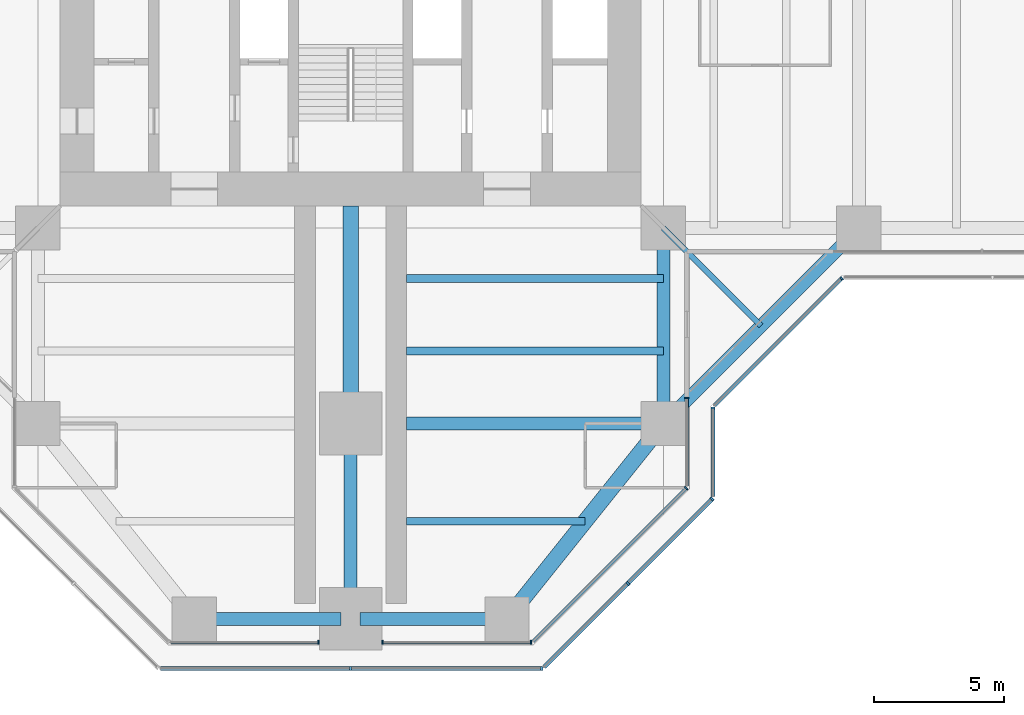
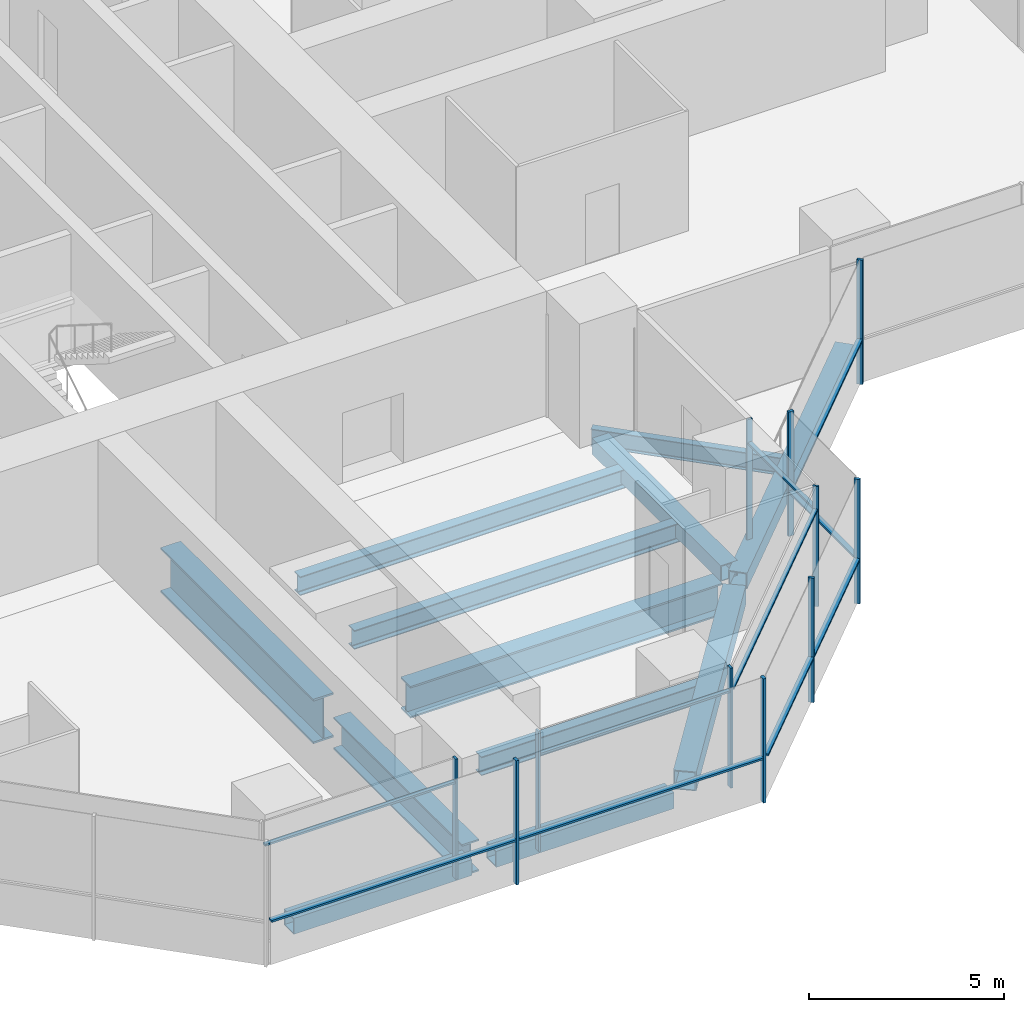
# One storey, part 4 of 19: 21 members, 12 beams, 8 elements without a shape of their own.
"""IFC4 building model written with IfcOpenShell, lengths in metres."""

from ifc_helpers import new_model, si_unit, direction, frame, origin, origin_2d, place, context, subcontext, project, spatial, rectangle, hollow_rectangle, i_section, extrude, material, material_profile, profile_set, type_object, element, aggregate, save


model = new_model("IFC4")

# Units and contexts
model_context = context("Model", 3, precision=1e-05, world=origin(), true_north=direction((0.0, 1.0)))
body_context = subcontext(model_context, "Body", "Model", "MODEL_VIEW")
ifc_project = project(units=[si_unit("LENGTHUNIT", "METRE"), si_unit("AREAUNIT", "SQUARE_METRE"), si_unit("VOLUMEUNIT", "CUBIC_METRE"), si_unit("PLANEANGLEUNIT", "RADIAN"), si_unit("MASSUNIT", "GRAM", prefix="KILO")], contexts=[model_context])

# Site, building, storey
site_placement = place(None, origin())
site = spatial("IfcSite", under=ifc_project, at=site_placement, CompositionType="ELEMENT")
building_placement = place(site_placement, origin())
building = spatial("IfcBuilding", under=site, at=building_placement, Name="Mizan Broadcast Tower", CompositionType="ELEMENT")
storey_placement = place(building_placement, frame((0.0, 0.0, 163.199951171875)))
storey = spatial("IfcBuildingStorey", under=building, at=storey_placement, Name="L37", CompositionType="ELEMENT", Elevation=163.199951171875)

# Beams
ifc_material_1 = material(Name="Steel S355", Category="steel")
ifc_material_profile_1 = material_profile(ifc_material_1, hollow_rectangle(XDim=0.5, YDim=0.5, WallThickness=0.030029296875, at=origin_2d()), Name="BOX 500x500x30")
ifc_profile_set_1 = profile_set([ifc_material_profile_1], Name="Steel S355")
beam_type_1 = type_object("IfcBeamType", Name="EDGE BEAM BOX 500x500x30", PredefinedType="SPANDREL", material=ifc_profile_set_1)
beam_1_placement = place(storey_placement, frame((-5.639892578125, -27.0, -0.3798828125), z_axis=(1.0, 0.0, 0.0), x_axis=(0.0, 1.0, 0.0)))
element("IfcBeam", 1, at=beam_1_placement, inside=storey, type_object=beam_type_1, Name="Edge beam BOX 500x500x30 L37 south arm", PredefinedType="SPANDREL", context=body_context, shape_type="SweptSolid", body=[
    extrude(hollow_rectangle(XDim=0.5, YDim=0.5, WallThickness=0.030029296875, at=origin_2d()), origin(), (0.0, 0.0, 1.0), 5.27978515625),
])
beam_2_placement = place(storey_placement, frame((12.0, -12.449951171875, -0.3798828125), z_axis=(0.0, -1.0, 0.0), x_axis=(1.0, 0.0, 0.0)))
element("IfcBeam", 2, at=beam_2_placement, inside=storey, type_object=beam_type_1, Name="Edge beam BOX 500x500x30 L37 south arm", PredefinedType="SPANDREL", context=body_context, shape_type="SweptSolid", body=[
    extrude(hollow_rectangle(XDim=0.5, YDim=0.5, WallThickness=0.030029296875, at=origin_2d()), origin(), (0.0, 0.0, 1.0), 6.60009765625),
])
beam_3_placement = place(storey_placement, frame((5.639892578125, -27.0, -0.3798828125), z_axis=(-1.0, 0.0, 0.0), x_axis=(0.0, -1.0, 0.0)))
element("IfcBeam", 3, at=beam_3_placement, inside=storey, type_object=beam_type_1, Name="Edge beam BOX 500x500x30 L37 south arm", PredefinedType="SPANDREL", context=body_context, shape_type="SweptSolid", body=[
    extrude(hollow_rectangle(XDim=0.5, YDim=0.5, WallThickness=0.030029296875, at=origin_2d()), origin(), (0.0, 0.0, 1.0), 5.27978515625),
])
beam_4_placement = place(storey_placement, frame((12.0, -19.5, -0.3798828125), z_axis=(0.707106781187, 0.707106781187, 0.0), x_axis=(-0.707106781187, 0.707106781187, 0.0)))
element("IfcBeam", 4, at=beam_4_placement, inside=storey, type_object=beam_type_1, Name="Winter garden edge beam L37 S", PredefinedType="SPANDREL", context=body_context, shape_type="SweptSolid", body=[
    extrude(hollow_rectangle(XDim=0.5, YDim=0.5, WallThickness=0.030029296875, at=origin_2d()), origin(), (0.0, 0.0, 1.0), 10.606689453125),
])
ifc_material_2 = material(Name="Steel S355", Category="steel")
ifc_material_profile_2 = material_profile(ifc_material_2, hollow_rectangle(XDim=0.60009765625, YDim=0.60009765625, WallThickness=0.030029296875, at=origin_2d()), Name="BOX 600x600x30")
ifc_profile_set_2 = profile_set([ifc_material_profile_2], Name="Steel S355")
beam_type_2 = type_object("IfcBeamType", Name="EDGE BEAM BOX 600x600x30", PredefinedType="SPANDREL", material=ifc_profile_set_2)
beam_5_placement = place(storey_placement, frame((11.639892578125, -19.949951171875, -0.429931640625), z_axis=(-0.624673911726, -0.780885717636, 0.0), x_axis=(0.780885717636, -0.624673911726, 0.0)))
element("IfcBeam", 5, at=beam_5_placement, inside=storey, type_object=beam_type_2, Name="Edge beam BOX 600x600x30 L37 south arm", PredefinedType="SPANDREL", context=body_context, shape_type="SweptSolid", body=[
    extrude(hollow_rectangle(XDim=0.60009765625, YDim=0.60009765625, WallThickness=0.030029296875, at=origin_2d()), origin(), (0.0, 0.0, 1.0), 8.4521484375),
])
ifc_material_3 = material(Name="Steel S460", Category="steel")
ifc_material_profile_3 = material_profile(ifc_material_3, i_section(OverallWidth=0.5, OverallDepth=1.0, WebThickness=0.02490234375, FlangeThickness=0.050048828125, at=origin_2d()), Name="WPG 1000x500")
ifc_profile_set_3 = profile_set([ifc_material_profile_3], Name="Steel S460")
beam_type_3 = type_object("IfcBeamType", Name="GIRDER WPG 1000x500", PredefinedType="BEAM", material=ifc_profile_set_3)
beam_6_placement = place(storey_placement, frame((0.0, -19.949951171875, -0.6298828125), z_axis=(0.0, -1.0, 0.0), x_axis=(1.0, 0.0, 0.0)))
element("IfcBeam", 6, at=beam_6_placement, inside=storey, type_object=beam_type_3, Name="Girder WPG 1000x500 L37 south arm", PredefinedType="BEAM", context=body_context, shape_type="SweptSolid", body=[
    extrude(i_section(OverallWidth=0.5, OverallDepth=1.0, WebThickness=0.02490234375, FlangeThickness=0.050048828125, at=origin_2d()), origin(), (0.0, 0.0, 1.0), 6.60009765625),
])
beam_7_placement = place(storey_placement, frame((11.408935546875, -19.5, -0.6298828125), z_axis=(-1.0, 0.0, 0.0), x_axis=(0.0, -1.0, 0.0)))
element("IfcBeam", 7, at=beam_7_placement, inside=storey, type_object=beam_type_3, Name="Girder WPG 1000x500 L37 south arm", PredefinedType="BEAM", context=body_context, shape_type="SweptSolid", body=[
    extrude(i_section(OverallWidth=0.5, OverallDepth=1.0, WebThickness=0.02490234375, FlangeThickness=0.050048828125, at=origin_2d()), origin(), (0.0, 0.0, 1.0), 9.259033203125),
])
ifc_material_4 = material(Name="Steel S460", Category="steel")
ifc_material_profile_4 = material_profile(ifc_material_4, i_section(OverallWidth=0.60009765625, OverallDepth=1.39990234375, WebThickness=0.02490234375, FlangeThickness=0.06005859375, at=origin_2d()), Name="WPG 1400x600")
ifc_profile_set_4 = profile_set([ifc_material_profile_4], Name="Steel S460")
beam_type_4 = type_object("IfcBeamType", Name="GIRDER WPG 1400x600", PredefinedType="BEAM", material=ifc_profile_set_4)
beam_8_placement = place(storey_placement, frame((0.0, -11.14990234375, -0.829833984375), z_axis=(0.0, -1.0, 0.0), x_axis=(1.0, 0.0, 0.0)))
element("IfcBeam", 8, at=beam_8_placement, inside=storey, type_object=beam_type_4, Name="Girder WPG 1400x600 L37 south arm", PredefinedType="BEAM", context=body_context, shape_type="SweptSolid", body=[
    extrude(i_section(OverallWidth=0.60009765625, OverallDepth=1.39990234375, WebThickness=0.02490234375, FlangeThickness=0.06005859375, at=origin_2d()), origin(), (0.0, 0.0, 1.0), 7.84912109375),
])

# Curtain wall, member
ifc_material_5 = material(Name="Aluminium framed glazing", Category="aluminium")
curtain_wall_type_1 = type_object("IfcCurtainWallType", Name="INNER SKIN MID ZONE", PredefinedType="USERDEFINED", material=ifc_material_5)
curtain_wall_1_placement = place(storey_placement, origin())
curtain_wall_1 = element("IfcCurtainWall", 9, at=curtain_wall_1_placement, inside=storey, type_object=curtain_wall_type_1, Name="Inner skin mid zone L37 S end", ObjectType="INNER SKIN MID ZONE", PredefinedType="USERDEFINED")
ifc_material_6 = material(Name="Aluminium, pale anodised", Category="aluminium")
ifc_material_profile_5 = material_profile(ifc_material_6, rectangle(XDim=0.159912109375, YDim=0.06005859375, at=origin_2d()), Name="MULLION 160x60")
ifc_profile_set_5 = profile_set([ifc_material_profile_5], Name="Aluminium, pale anodised")
member_type_1 = type_object("IfcMemberType", Name="INNER SKIN MULLION 60x160", PredefinedType="MULLION", material=ifc_profile_set_5)
member_1_placement = place(storey_placement, frame((-1.22998046875, -27.89990234375, 0.0), z_axis=(0.0, 0.0, 1.0), x_axis=(0.0, 1.0, 0.0)))
member_1 = element("IfcMember", 10, at=member_1_placement, type_object=member_type_1, Name="Inner skin mid zone L37 S end mullion 2", PredefinedType="MULLION", context=body_context, shape_type="SweptSolid", body=[
    extrude(rectangle(XDim=0.159912109375, YDim=0.06005859375, at=origin_2d()), origin(), (0.0, 0.0, 1.0), 3.77001953125),
])

# Curtain wall, members
curtain_wall_2_placement = place(storey_placement, origin())
curtain_wall_2 = element("IfcCurtainWall", 11, at=curtain_wall_2_placement, inside=storey, type_object=curtain_wall_type_1, Name="Inner skin mid zone L37 S end", ObjectType="INNER SKIN MID ZONE", PredefinedType="USERDEFINED")
member_2_placement = place(storey_placement, frame((1.22998046875, -27.89990234375, 0.0), z_axis=(0.0, 0.0, 1.0), x_axis=(0.0, 1.0, 0.0)))
member_2 = element("IfcMember", 12, at=member_2_placement, type_object=member_type_1, Name="Inner skin mid zone L37 S end mullion 1", PredefinedType="MULLION", context=body_context, shape_type="SweptSolid", body=[
    extrude(rectangle(XDim=0.159912109375, YDim=0.06005859375, at=origin_2d()), origin(), (0.0, 0.0, 1.0), 3.77001953125),
])
member_3_placement = place(storey_placement, frame((6.928466796875, -27.89990234375, 0.0), z_axis=(0.0, 0.0, 1.0), x_axis=(0.0, 1.0, 0.0)))
member_3 = element("IfcMember", 13, at=member_3_placement, type_object=member_type_1, Name="Inner skin mid zone L37 S end mullion 2", PredefinedType="MULLION", context=body_context, shape_type="SweptSolid", body=[
    extrude(rectangle(XDim=0.159912109375, YDim=0.06005859375, at=origin_2d()), origin(), (0.0, 0.0, 1.0), 3.77001953125),
])

# Curtain wall, member
curtain_wall_3_placement = place(storey_placement, origin())
curtain_wall_3 = element("IfcCurtainWall", 14, at=curtain_wall_3_placement, inside=storey, type_object=curtain_wall_type_1, Name="Inner skin mid zone L37 S chamfer", ObjectType="INNER SKIN MID ZONE", PredefinedType="USERDEFINED")
member_4_placement = place(storey_placement, frame((12.87890625, -21.979736328125, 0.0), z_axis=(0.0, 0.0, 1.0), x_axis=(-0.707106781187, 0.707106781187, 0.0)))
member_4 = element("IfcMember", 15, at=member_4_placement, type_object=member_type_1, Name="Inner skin mid zone L37 S chamfer mullion 2", PredefinedType="MULLION", context=body_context, shape_type="SweptSolid", body=[
    extrude(rectangle(XDim=0.159912109375, YDim=0.06005859375, at=origin_2d()), origin(), (0.0, 0.0, 1.0), 3.77001953125),
])

curtain_wall_4_placement = place(storey_placement, origin())
curtain_wall_4 = element("IfcCurtainWall", 16, at=curtain_wall_4_placement, inside=storey, type_object=curtain_wall_type_1, Name="Inner skin mid zone L37 S side", ObjectType="INNER SKIN MID ZONE", PredefinedType="USERDEFINED")
member_5_placement = place(storey_placement, frame((12.89990234375, -18.530029296875, 0.0), z_axis=(0.0, 0.0, 1.0), x_axis=(-1.0, 0.0, 0.0)))
member_5 = element("IfcMember", 17, at=member_5_placement, type_object=member_type_1, Name="Inner skin mid zone L37 S side mullion 2", PredefinedType="MULLION", context=body_context, shape_type="SweptSolid", body=[
    extrude(rectangle(XDim=0.159912109375, YDim=0.06005859375, at=origin_2d()), origin(), (0.0, 0.0, 1.0), 3.77001953125),
])

# Member
ifc_material_7 = material(Name="Aluminium, pale anodised", Category="aluminium")
ifc_material_profile_6 = material_profile(ifc_material_7, rectangle(XDim=0.1201171875, YDim=0.06005859375, at=origin_2d()), Name="TRANSOM 120x60")
ifc_profile_set_6 = profile_set([ifc_material_profile_6], Name="Aluminium, pale anodised")
member_type_2 = type_object("IfcMemberType", Name="INNER SKIN TRANSOM 60x120", PredefinedType="USERDEFINED", material=ifc_profile_set_6)
member_6_placement = place(storey_placement, frame((-6.898681640625, -27.89990234375, 3.030029296875), z_axis=(1.0, 0.0, 0.0), x_axis=(0.0, 1.0, 0.0)))
member_6 = element("IfcMember", 18, at=member_6_placement, type_object=member_type_2, Name="Inner skin mid zone L37 S end transom 1.1", ObjectType="TRANSOM", PredefinedType="USERDEFINED", context=body_context, shape_type="SweptSolid", body=[
    extrude(rectangle(XDim=0.1201171875, YDim=0.06005859375, at=origin_2d()), origin(), (0.0, 0.0, 1.0), 5.638671875),
])

aggregate(curtain_wall_1, [member_1, member_6])

member_7_placement = place(storey_placement, frame((1.260009765625, -27.89990234375, 3.030029296875), z_axis=(1.0, 0.0, 0.0), x_axis=(0.0, 1.0, 0.0)))
member_7 = element("IfcMember", 19, at=member_7_placement, type_object=member_type_2, Name="Inner skin mid zone L37 S end transom 1.1", ObjectType="TRANSOM", PredefinedType="USERDEFINED", context=body_context, shape_type="SweptSolid", body=[
    extrude(rectangle(XDim=0.1201171875, YDim=0.06005859375, at=origin_2d()), origin(), (0.0, 0.0, 1.0), 5.638671875),
])

aggregate(curtain_wall_2, [member_2, member_3, member_7])

member_8_placement = place(storey_placement, frame((7.0009765625, -27.857666015625, 3.030029296875), z_axis=(0.707106781187, 0.707106781187, 0.0), x_axis=(-0.707106781187, 0.707106781187, 0.0)))
member_8 = element("IfcMember", 20, at=member_8_placement, type_object=member_type_2, Name="Inner skin mid zone L37 S chamfer transom 1.1", ObjectType="TRANSOM", PredefinedType="USERDEFINED", context=body_context, shape_type="SweptSolid", body=[
    extrude(rectangle(XDim=0.1201171875, YDim=0.06005859375, at=origin_2d()), origin(), (0.0, 0.0, 1.0), 8.28271484375),
])

aggregate(curtain_wall_3, [member_4, member_8])

member_9_placement = place(storey_placement, frame((12.89990234375, -21.898681640625, 3.030029296875), z_axis=(0.0, 1.0, 0.0), x_axis=(-1.0, 0.0, 0.0)))
member_9 = element("IfcMember", 21, at=member_9_placement, type_object=member_type_2, Name="Inner skin mid zone L37 S side transom 1.1", ObjectType="TRANSOM", PredefinedType="USERDEFINED", context=body_context, shape_type="SweptSolid", body=[
    extrude(rectangle(XDim=0.1201171875, YDim=0.06005859375, at=origin_2d()), origin(), (0.0, 0.0, 1.0), 3.338623046875),
])

aggregate(curtain_wall_4, [member_5, member_9])

# Curtain wall, members
ifc_material_8 = material(Name="Aluminium framed glazing", Category="aluminium")
curtain_wall_type_2 = type_object("IfcCurtainWallType", Name="OUTER SKIN", PredefinedType="USERDEFINED", material=ifc_material_8)
curtain_wall_5_placement = place(storey_placement, origin())
curtain_wall_5 = element("IfcCurtainWall", 22, at=curtain_wall_5_placement, inside=storey, type_object=curtain_wall_type_2, Name="Outer skin L37 S end", ObjectType="OUTER SKIN", PredefinedType="USERDEFINED")
ifc_material_9 = material(Name="Aluminium, pale anodised", Category="aluminium")
ifc_material_profile_7 = material_profile(ifc_material_9, rectangle(XDim=0.159912109375, YDim=0.080078125, at=origin_2d()), Name="MULLION 160x80")
ifc_profile_set_7 = profile_set([ifc_material_profile_7], Name="Aluminium, pale anodised")
member_type_3 = type_object("IfcMemberType", Name="OUTER SKIN MULLION 80x160", PredefinedType="MULLION", material=ifc_profile_set_7)
member_10_placement = place(storey_placement, frame((0.0, -28.89990234375, 0.0), z_axis=(0.0, 0.0, 1.0), x_axis=(0.0, 1.0, 0.0)))
member_10 = element("IfcMember", 23, at=member_10_placement, type_object=member_type_3, Name="Outer skin L37 S end mullion 2", PredefinedType="MULLION", context=body_context, shape_type="SweptSolid", body=[
    extrude(rectangle(XDim=0.159912109375, YDim=0.080078125, at=origin_2d()), origin(), (0.0, 0.0, 1.0), 3.900146484375),
])
member_11_placement = place(storey_placement, frame((7.332763671875, -28.89990234375, 0.0), z_axis=(0.0, 0.0, 1.0), x_axis=(0.0, 1.0, 0.0)))
member_11 = element("IfcMember", 24, at=member_11_placement, type_object=member_type_3, Name="Outer skin L37 S end mullion 3", PredefinedType="MULLION", context=body_context, shape_type="SweptSolid", body=[
    extrude(rectangle(XDim=0.159912109375, YDim=0.080078125, at=origin_2d()), origin(), (0.0, 0.0, 1.0), 3.900146484375),
])

curtain_wall_6_placement = place(storey_placement, origin())
curtain_wall_6 = element("IfcCurtainWall", 25, at=curtain_wall_6_placement, inside=storey, type_object=curtain_wall_type_2, Name="Outer skin L37 S chamfer", ObjectType="OUTER SKIN", PredefinedType="USERDEFINED")
member_12_placement = place(storey_placement, frame((10.636474609375, -25.636474609375, 0.0), z_axis=(0.0, 0.0, 1.0), x_axis=(-0.707106781187, 0.707106781187, 0.0)))
member_12 = element("IfcMember", 26, at=member_12_placement, type_object=member_type_3, Name="Outer skin L37 S chamfer mullion 2", PredefinedType="MULLION", context=body_context, shape_type="SweptSolid", body=[
    extrude(rectangle(XDim=0.159912109375, YDim=0.080078125, at=origin_2d()), origin(), (0.0, 0.0, 1.0), 3.900146484375),
])
member_13_placement = place(storey_placement, frame((13.871826171875, -22.401123046875, 0.0), z_axis=(0.0, 0.0, 1.0), x_axis=(-0.707106781187, 0.707106781187, 0.0)))
member_13 = element("IfcMember", 27, at=member_13_placement, type_object=member_type_3, Name="Outer skin L37 S chamfer mullion 3", PredefinedType="MULLION", context=body_context, shape_type="SweptSolid", body=[
    extrude(rectangle(XDim=0.159912109375, YDim=0.080078125, at=origin_2d()), origin(), (0.0, 0.0, 1.0), 3.900146484375),
])

# Curtain wall, member
curtain_wall_7_placement = place(storey_placement, origin())
curtain_wall_7 = element("IfcCurtainWall", 28, at=curtain_wall_7_placement, inside=storey, type_object=curtain_wall_type_2, Name="Outer skin L37 S side", ObjectType="OUTER SKIN", PredefinedType="USERDEFINED")
member_14_placement = place(storey_placement, frame((13.89990234375, -18.912841796875, 0.0), z_axis=(0.0, 0.0, 1.0), x_axis=(-1.0, 0.0, 0.0)))
member_14 = element("IfcMember", 29, at=member_14_placement, type_object=member_type_3, Name="Outer skin L37 S side mullion 2", PredefinedType="MULLION", context=body_context, shape_type="SweptSolid", body=[
    extrude(rectangle(XDim=0.159912109375, YDim=0.080078125, at=origin_2d()), origin(), (0.0, 0.0, 1.0), 3.900146484375),
])

curtain_wall_8_placement = place(storey_placement, origin())
curtain_wall_8 = element("IfcCurtainWall", 30, at=curtain_wall_8_placement, inside=storey, type_object=curtain_wall_type_2, Name="Outer skin L37 E chamfer", ObjectType="OUTER SKIN", PredefinedType="USERDEFINED")
member_15_placement = place(storey_placement, frame((18.844482421875, -13.92822265625, 0.0), z_axis=(0.0, 0.0, 1.0), x_axis=(-0.707106781187, 0.707106781187, 0.0)))
member_15 = element("IfcMember", 31, at=member_15_placement, type_object=member_type_3, Name="Outer skin L37 E chamfer mullion 2", PredefinedType="MULLION", context=body_context, shape_type="SweptSolid", body=[
    extrude(rectangle(XDim=0.159912109375, YDim=0.080078125, at=origin_2d()), origin(), (0.0, 0.0, 1.0), 3.900146484375),
])

# Member
ifc_material_10 = material(Name="Aluminium, pale anodised", Category="aluminium")
ifc_material_profile_8 = material_profile(ifc_material_10, rectangle(XDim=0.159912109375, YDim=0.06005859375, at=origin_2d()), Name="TRANSOM 160x60")
ifc_profile_set_8 = profile_set([ifc_material_profile_8], Name="Aluminium, pale anodised")
member_type_4 = type_object("IfcMemberType", Name="OUTER SKIN TRANSOM 60x160", PredefinedType="USERDEFINED", material=ifc_profile_set_8)
member_16_placement = place(storey_placement, frame((-7.292724609375, -28.89990234375, 1.400146484375), z_axis=(1.0, 0.0, 0.0), x_axis=(0.0, 1.0, 0.0)))
member_16 = element("IfcMember", 32, at=member_16_placement, type_object=member_type_4, Name="Outer skin L37 S end transom 1.1", ObjectType="TRANSOM", PredefinedType="USERDEFINED", context=body_context, shape_type="SweptSolid", body=[
    extrude(rectangle(XDim=0.159912109375, YDim=0.06005859375, at=origin_2d()), origin(), (0.0, 0.0, 1.0), 7.252685546875),
])

member_17_placement = place(storey_placement, frame((0.0400390625, -28.89990234375, 1.400146484375), z_axis=(1.0, 0.0, 0.0), x_axis=(0.0, 1.0, 0.0)))
member_17 = element("IfcMember", 33, at=member_17_placement, type_object=member_type_4, Name="Outer skin L37 S end transom 2.1", ObjectType="TRANSOM", PredefinedType="USERDEFINED", context=body_context, shape_type="SweptSolid", body=[
    extrude(rectangle(XDim=0.159912109375, YDim=0.06005859375, at=origin_2d()), origin(), (0.0, 0.0, 1.0), 7.252685546875),
])

aggregate(curtain_wall_5, [member_10, member_11, member_16, member_17])

member_18_placement = place(storey_placement, frame((7.429443359375, -28.843505859375, 1.400146484375), z_axis=(0.707106781187, 0.707106781187, 0.0), x_axis=(-0.707106781187, 0.707106781187, 0.0)))
member_18 = element("IfcMember", 34, at=member_18_placement, type_object=member_type_4, Name="Outer skin L37 S chamfer transom 1.1", ObjectType="TRANSOM", PredefinedType="USERDEFINED", context=body_context, shape_type="SweptSolid", body=[
    extrude(rectangle(XDim=0.159912109375, YDim=0.06005859375, at=origin_2d()), origin(), (0.0, 0.0, 1.0), 4.495361328125),
])

member_19_placement = place(storey_placement, frame((10.664794921875, -25.608154296875, 1.400146484375), z_axis=(0.707106781187, 0.707106781187, 0.0), x_axis=(-0.707106781187, 0.707106781187, 0.0)))
member_19 = element("IfcMember", 35, at=member_19_placement, type_object=member_type_4, Name="Outer skin L37 S chamfer transom 2.1", ObjectType="TRANSOM", PredefinedType="USERDEFINED", context=body_context, shape_type="SweptSolid", body=[
    extrude(rectangle(XDim=0.159912109375, YDim=0.06005859375, at=origin_2d()), origin(), (0.0, 0.0, 1.0), 4.495361328125),
])

aggregate(curtain_wall_6, [member_12, member_13, member_18, member_19])

member_20_placement = place(storey_placement, frame((13.89990234375, -22.292724609375, 1.400146484375), z_axis=(0.0, 1.0, 0.0), x_axis=(-1.0, 0.0, 0.0)))
member_20 = element("IfcMember", 36, at=member_20_placement, type_object=member_type_4, Name="Outer skin L37 S side transom 1.1", ObjectType="TRANSOM", PredefinedType="USERDEFINED", context=body_context, shape_type="SweptSolid", body=[
    extrude(rectangle(XDim=0.159912109375, YDim=0.06005859375, at=origin_2d()), origin(), (0.0, 0.0, 1.0), 3.33984375),
])

aggregate(curtain_wall_7, [member_14, member_20])

member_21_placement = place(storey_placement, frame((13.95654296875, -18.816162109375, 1.400146484375), z_axis=(0.707106781187, 0.707106781187, 0.0), x_axis=(-0.707106781187, 0.707106781187, 0.0)))
member_21 = element("IfcMember", 37, at=member_21_placement, type_object=member_type_4, Name="Outer skin L37 E chamfer transom 1.1", ObjectType="TRANSOM", PredefinedType="USERDEFINED", context=body_context, shape_type="SweptSolid", body=[
    extrude(rectangle(XDim=0.159912109375, YDim=0.06005859375, at=origin_2d()), origin(), (0.0, 0.0, 1.0), 6.87255859375),
])

aggregate(curtain_wall_8, [member_15, member_21])

# Beams
ifc_material_11 = material(Name="Steel S355", Category="steel")
ifc_material_profile_9 = material_profile(ifc_material_11, i_section(OverallWidth=0.300048828125, OverallDepth=0.590087890625, WebThickness=0.012939453125, FlangeThickness=0.02490234375, FilletRadius=0.027099609375, at=origin_2d()), Name="HEA 600")
ifc_profile_set_9 = profile_set([ifc_material_profile_9], Name="Steel S355")
beam_type_5 = type_object("IfcBeamType", Name="SECONDARY BEAM HEA 600", PredefinedType="JOIST", material=ifc_profile_set_9)
for number, where, z_axis, x_axis, name in (
    (38, (12.0, -13.933349609375, -0.425048828125), (-1.0, 0.0, 0.0), (0.0, -1.0, 0.0), "Secondary beam HEA 600 L37 south arm"),
    (39, (12.0, -16.716552734375, -0.425048828125), (-1.0, 0.0, 0.0), (0.0, -1.0, 0.0), "Secondary beam HEA 600 L37 south arm"),
):
    element("IfcBeam", number, at=place(storey_placement, frame(where, z_axis=z_axis, x_axis=x_axis)), inside=storey, type_object=beam_type_5, Name=name, PredefinedType="JOIST", context=body_context, shape_type="SweptSolid", body=[
        extrude(i_section(OverallWidth=0.300048828125, OverallDepth=0.590087890625, WebThickness=0.012939453125, FlangeThickness=0.02490234375, FilletRadius=0.027099609375, at=origin_2d()), origin(), (0.0, 0.0, 1.0), 9.85009765625),
    ])
beam_9_placement = place(storey_placement, frame((9.0, -23.25, -0.425048828125), z_axis=(-1.0, 0.0, 0.0), x_axis=(0.0, -1.0, 0.0)))
element("IfcBeam", 40, at=beam_9_placement, inside=storey, type_object=beam_type_5, Name="Secondary beam HEA 600 L37 south arm", PredefinedType="JOIST", context=body_context, shape_type="SweptSolid", body=[
    extrude(i_section(OverallWidth=0.300048828125, OverallDepth=0.590087890625, WebThickness=0.012939453125, FlangeThickness=0.02490234375, FilletRadius=0.027099609375, at=origin_2d()), origin(), (0.0, 0.0, 1.0), 6.85009765625),
])
ifc_material_12 = material(Name="Steel S355", Category="steel")
ifc_material_profile_10 = material_profile(ifc_material_12, i_section(OverallWidth=0.2099609375, OverallDepth=0.550048828125, WebThickness=0.010986328125, FlangeThickness=0.01708984375, FilletRadius=0.02392578125, at=origin_2d()), Name="IPE 550")
ifc_profile_set_10 = profile_set([ifc_material_profile_10], Name="Steel S355")
beam_type_6 = type_object("IfcBeamType", Name="SECONDARY BEAM IPE 550", PredefinedType="JOIST", material=ifc_profile_set_10)
beam_10_placement = place(storey_placement, frame((12.0, -12.0, -0.405029296875), z_axis=(0.707106781187, -0.707106781187, 0.0), x_axis=(0.707106781187, 0.707106781187, 0.0)))
element("IfcBeam", 41, at=beam_10_placement, inside=storey, type_object=beam_type_6, Name="Winter garden beam L37 S", PredefinedType="JOIST", context=body_context, shape_type="SweptSolid", body=[
    extrude(i_section(OverallWidth=0.2099609375, OverallDepth=0.550048828125, WebThickness=0.010986328125, FlangeThickness=0.01708984375, FilletRadius=0.02392578125, at=origin_2d()), origin(), (0.0, 0.0, 1.0), 5.30322265625),
])

save(model, "model.ifc")
